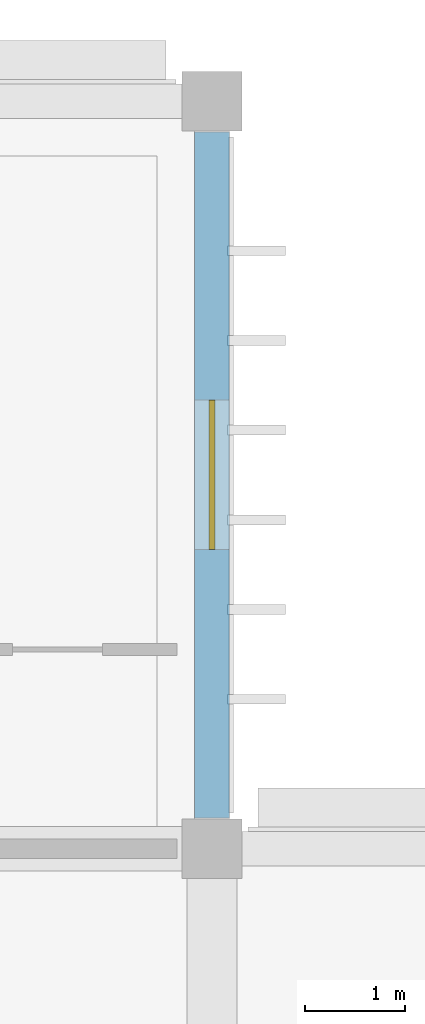
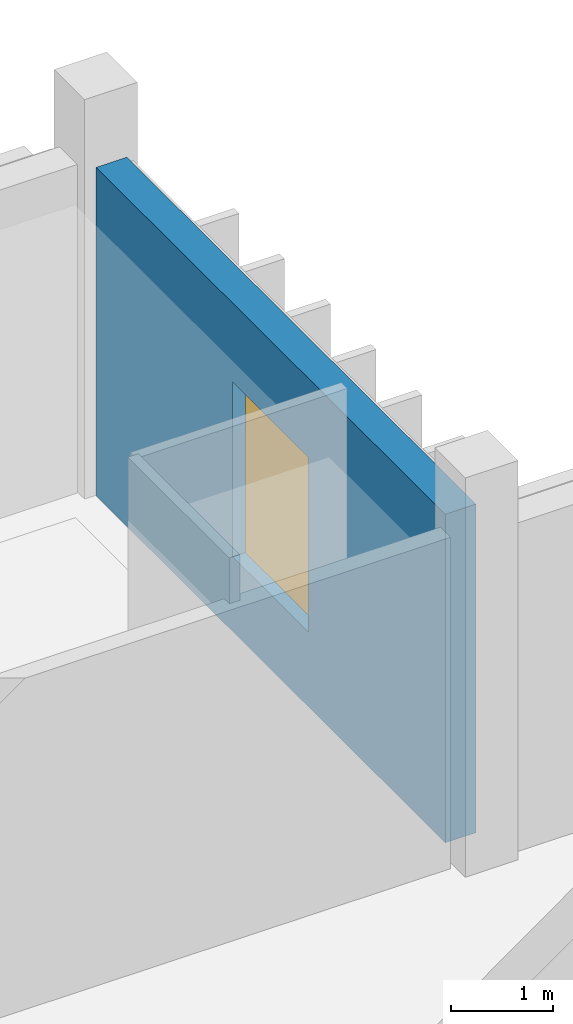
# One storey, part 110 of 131: 1 wall, 1 window, 1 opening.
"""IFC4 building model written with IfcOpenShell, lengths in metres."""

from ifc_helpers import new_model, si_unit, direction, frame, frame_2d, origin, place, context, subcontext, project, spatial, rectangle, extrude, material, layer, layer_set, type_object, element, fill, save


model = new_model("IFC4")

# Units and contexts
model_context = context("Model", 3, precision=1e-05, world=origin(), true_north=direction((0.0, 1.0)))
body_context = subcontext(model_context, "Body", "Model", "MODEL_VIEW")
ifc_project = project(units=[si_unit("LENGTHUNIT", "METRE"), si_unit("AREAUNIT", "SQUARE_METRE"), si_unit("VOLUMEUNIT", "CUBIC_METRE"), si_unit("PLANEANGLEUNIT", "RADIAN"), si_unit("MASSUNIT", "GRAM", prefix="KILO")], contexts=[model_context])

# Site, building, storey
site_placement = place(None, origin())
site = spatial("IfcSite", under=ifc_project, at=site_placement, CompositionType="ELEMENT")
building_placement = place(site_placement, origin())
building = spatial("IfcBuilding", under=site, at=building_placement, Name="Dalvernix Boulevard General Hospital", CompositionType="ELEMENT")
storey_placement = place(building_placement, frame((0.0, 0.0, 9.300048828125)))
storey = spatial("IfcBuildingStorey", under=building, at=storey_placement, Name="L02", CompositionType="ELEMENT", Elevation=9.300048828125)

# Wall, opening, window
ifc_material_1 = material(Name="Pressed Catalan clay brick and insulated concrete cavity wall C35/45", Category="masonry")
ifc_layer = layer(ifc_material_1, 0.35009765625)
ifc_layer_set = layer_set([ifc_layer], Name="Pressed Catalan clay brick and insulated concrete cavity wall C35/45 (WAL-EW-01)")
wall_type = type_object("IfcWallType", Name="WAL-EW-01", PredefinedType="STANDARD", material=ifc_layer_set)
wall_placement = place(storey_placement, frame((127.5, 116.68994140625, 0.0), z_axis=(0.0, 0.0, 1.0), x_axis=(0.0, -1.0, 0.0)))
wall = element("IfcWall", 1, at=wall_placement, inside=storey, type_object=wall_type, Name="L02 Catalan brick external wall E 17-14", PredefinedType="STANDARD", context=body_context, shape_type="SweptSolid", body=[
    extrude(rectangle(XDim=6.8798828125, YDim=0.35009765625, at=frame_2d((3.43994140625, 0.0))), origin(), (0.0, 0.0, 1.0), 3.949951171875),
])
opening_placement = place(wall_placement, frame((2.68994140625, 0.0, 0.89990234375)))
opening = element("IfcOpeningElement", 2, at=opening_placement, cuts=wall, Name="Opening WN-06", PredefinedType="OPENING", context=body_context, shape_type="SweptSolid", body=[
    extrude(rectangle(XDim=1.5, YDim=2.10009765625, at=frame_2d((0.75, 1.050048828125))), frame((0.0, 0.18505859375, 0.0), z_axis=(0.0, -1.0, 0.0), x_axis=(1.0, 0.0, 0.0)), (0.0, 0.0, 1.0), 0.3701171875),
])
ifc_material_2 = material(Name="Thermally broken aluminium frame with solar-control double glazing", Category="aluminium")
window_type = type_object("IfcWindowType", Name="WIN-WN-06", PartitioningType="SINGLE_PANEL", PredefinedType="WINDOW", material=ifc_material_2)
window_placement = place(opening_placement, origin())
window = element("IfcWindow", 3, at=window_placement, inside=storey, type_object=window_type, Name="L02 clinical window WN-06 E 17-14", OverallHeight=2.10009765625, OverallWidth=1.5, PartitioningType="SINGLE_PANEL", PredefinedType="WINDOW", context=body_context, shape_type="SweptSolid", body=[
    extrude(rectangle(XDim=1.5, YDim=2.10009765625, at=frame_2d((0.75, 1.050048828125))), frame((0.0, 0.030029296875, 0.0), z_axis=(0.0, -1.0, 0.0), x_axis=(1.0, 0.0, 0.0)), (0.0, 0.0, 1.0), 0.06005859375),
])
fill(opening, window)

save(model, "model.ifc")
